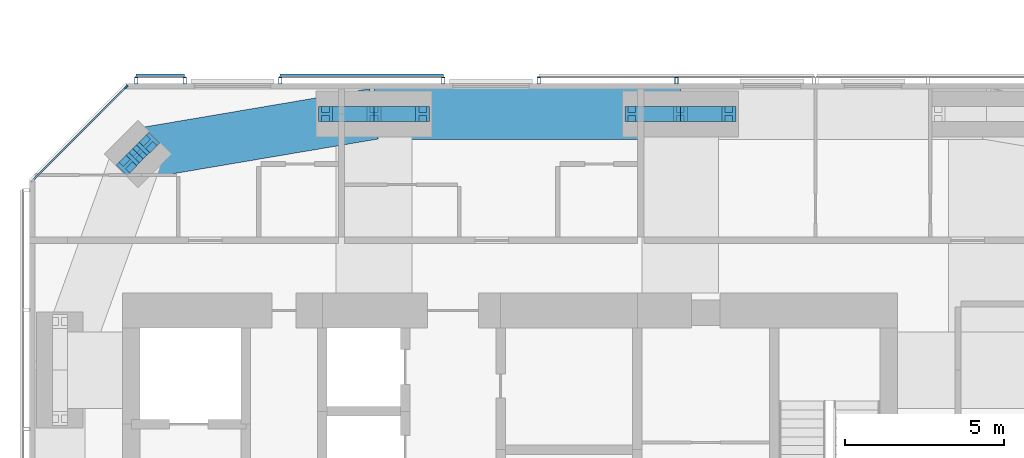
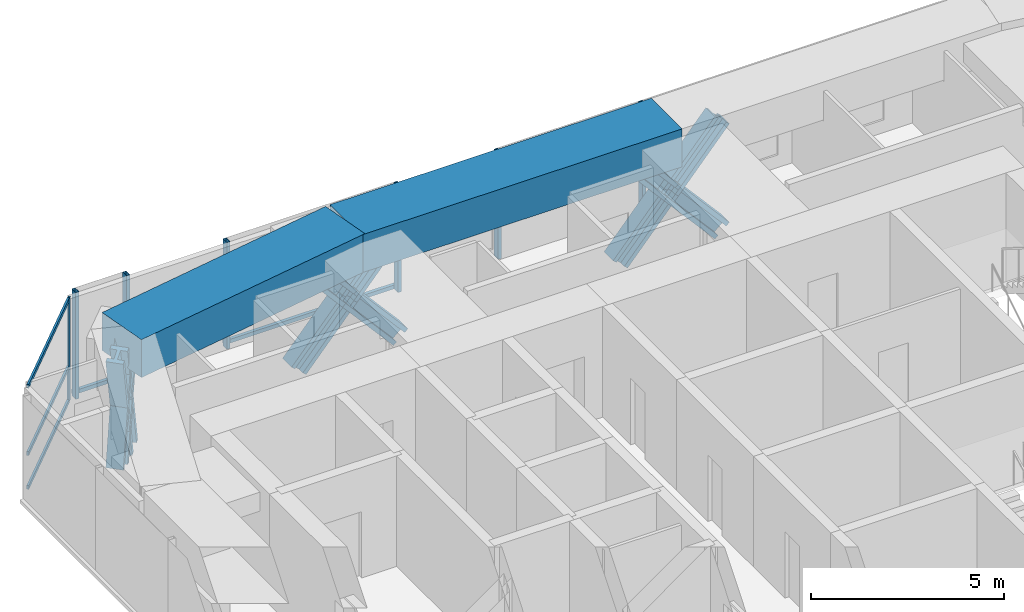
# One storey, part 9 of 18: 24 members, 2 beams, 4 elements without a shape of their own.
"""IFC4 building model written with IfcOpenShell, lengths in metres."""

from ifc_helpers import new_model, si_unit, direction, frame, origin, origin_2d, place, context, subcontext, project, spatial, rectangle, hollow_rectangle, i_section, extrude, material, material_profile, profile_set, type_object, element, aggregate, save


model = new_model("IFC4")

# Units and contexts
model_context = context("Model", 3, precision=1e-05, world=origin(), true_north=direction((0.0, 1.0)))
body_context = subcontext(model_context, "Body", "Model", "MODEL_VIEW")
ifc_project = project(units=[si_unit("LENGTHUNIT", "METRE"), si_unit("AREAUNIT", "SQUARE_METRE"), si_unit("VOLUMEUNIT", "CUBIC_METRE"), si_unit("PLANEANGLEUNIT", "RADIAN"), si_unit("MASSUNIT", "GRAM", prefix="KILO")], contexts=[model_context])

# Site, building, storey
site_placement = place(None, origin())
site = spatial("IfcSite", under=ifc_project, at=site_placement, CompositionType="ELEMENT")
building_placement = place(site_placement, origin())
building = spatial("IfcBuilding", under=site, at=building_placement, Name="Jalousie Tower", CompositionType="ELEMENT")
storey_placement = place(building_placement, frame((0.0, 0.0, 231.949951171875)))
storey = spatial("IfcBuildingStorey", under=building, at=storey_placement, Name="L63", CompositionType="ELEMENT", Elevation=231.949951171875)

# Curtain wall, members
ifc_material_1 = material(Name="Aluminium curtain wall", Category="aluminium")
curtain_wall_type_1 = type_object("IfcCurtainWallType", Name="CORNER WINDOW WALL", PredefinedType="USERDEFINED", material=ifc_material_1)
curtain_wall_1_placement = place(storey_placement, origin())
curtain_wall_1 = element("IfcCurtainWall", 1, at=curtain_wall_1_placement, inside=storey, type_object=curtain_wall_type_1, Name="Corner Window Wall L63 6", ObjectType="CORNER WINDOW WALL", PredefinedType="USERDEFINED")
ifc_material_2 = material(Name="Aluminium mullion", Category="aluminium")
ifc_material_profile_1 = material_profile(ifc_material_2, rectangle(XDim=0.06005859375, YDim=0.14990234375, at=origin_2d()), Name="MULLION 60x150")
ifc_profile_set_1 = profile_set([ifc_material_profile_1], Name="Aluminium mullion")
member_type_1 = type_object("IfcMemberType", Name="CORNER WINDOW WALL MULLION", PredefinedType="MULLION", material=ifc_profile_set_1)
member_1_placement = place(storey_placement, frame((19.830078125, 33.891357421875, 0.0), z_axis=(0.0, 0.0, 1.0), x_axis=(0.707106781187, -0.707106781187, 0.0)))
member_1 = element("IfcMember", 2, at=member_1_placement, type_object=member_type_1, Name="CW-C mullion 1", PredefinedType="MULLION", context=body_context, shape_type="SweptSolid", body=[
    extrude(rectangle(XDim=0.06005859375, YDim=0.14990234375, at=origin_2d()), origin(), (0.0, 0.0, 1.0), 3.260009765625),
])
ifc_material_3 = material(Name="Aluminium transom", Category="aluminium")
ifc_material_profile_2 = material_profile(ifc_material_3, rectangle(XDim=0.06005859375, YDim=0.1201171875, at=origin_2d()), Name="TRANSOM 60x120")
ifc_profile_set_2 = profile_set([ifc_material_profile_2], Name="Aluminium transom")
member_type_2 = type_object("IfcMemberType", Name="CORNER WINDOW WALL TRANSOM", PredefinedType="USERDEFINED", material=ifc_profile_set_2)
member_2_placement = place(storey_placement, frame((19.808837890625, 33.8701171875, 0.030029296875), z_axis=(-0.707106781187, -0.707106781187, 0.0), x_axis=(0.707106781187, -0.707106781187, 0.0)))
member_2 = element("IfcMember", 3, at=member_2_placement, type_object=member_type_2, Name="CW-C transom 1.1", ObjectType="TRANSOM", PredefinedType="USERDEFINED", context=body_context, shape_type="SweptSolid", body=[
    extrude(rectangle(XDim=0.06005859375, YDim=0.1201171875, at=origin_2d()), origin(), (0.0, 0.0, 1.0), 4.0712890625),
])
member_3_placement = place(storey_placement, frame((19.808837890625, 33.8701171875, 1.10009765625), z_axis=(-0.707106781187, -0.707106781187, 0.0), x_axis=(0.707106781187, -0.707106781187, 0.0)))
member_3 = element("IfcMember", 4, at=member_3_placement, type_object=member_type_2, Name="CW-C transom 1.2", ObjectType="TRANSOM", PredefinedType="USERDEFINED", context=body_context, shape_type="SweptSolid", body=[
    extrude(rectangle(XDim=0.06005859375, YDim=0.1201171875, at=origin_2d()), origin(), (0.0, 0.0, 1.0), 4.0712890625),
])
member_4_placement = place(storey_placement, frame((19.808837890625, 33.8701171875, 3.22998046875), z_axis=(-0.707106781187, -0.707106781187, 0.0), x_axis=(0.707106781187, -0.707106781187, 0.0)))
member_4 = element("IfcMember", 5, at=member_4_placement, type_object=member_type_2, Name="CW-C transom 1.3", ObjectType="TRANSOM", PredefinedType="USERDEFINED", context=body_context, shape_type="SweptSolid", body=[
    extrude(rectangle(XDim=0.06005859375, YDim=0.1201171875, at=origin_2d()), origin(), (0.0, 0.0, 1.0), 4.0712890625),
])
aggregate(curtain_wall_1, [member_1, member_2, member_3, member_4])

# Members
ifc_material_4 = material(Name="Steel ASTM A992 Grade 50", Category="steel")
ifc_material_profile_3 = material_profile(ifc_material_4, i_section(OverallWidth=0.472412109375, OverallDepth=0.5791015625, WebThickness=0.094970703125, FlangeThickness=0.1298828125, at=origin_2d()), Name="W14X808")
ifc_profile_set_3 = profile_set([ifc_material_profile_3], Name="Steel ASTM A992 Grade 50")
member_type_3 = type_object("IfcMemberType", Name="PERIMETER BRACE W14X808", PredefinedType="BRACE", material=ifc_profile_set_3)
for number, where, z_axis, x_axis, name in (
    (6, (35.72509765625, 33.050048828125, -0.599853515625), (0.65695436777, 0.0, 0.753930340726), (0.0, 1.0, 0.0), "Perimeter brace 10 L63 part 1"),
    (7, (37.25, 33.050048828125, 1.150146484375), (0.65695436777, 0.0, 0.753930340726), (0.0, 1.0, 0.0), "Perimeter brace 10 L63 part 2"),
    (8, (38.77490234375, 33.050048828125, -0.599853515625), (-0.65695436777, 0.0, 0.753930340726), (0.0, -1.0, 0.0), "Perimeter brace 10 L63 part 3"),
    (9, (37.25, 33.050048828125, 1.150146484375), (-0.65695436777, 0.0, 0.753930340726), (0.0, -1.0, 0.0), "Perimeter brace 10 L63 part 4"),
    (10, (26.10009765625, 33.050048828125, -0.599853515625), (0.65695436777, 0.0, 0.753930340726), (0.0, 1.0, 0.0), "Perimeter brace 11 L63 part 1"),
    (11, (27.625, 33.050048828125, 1.150146484375), (0.65695436777, 0.0, 0.753930340726), (0.0, 1.0, 0.0), "Perimeter brace 11 L63 part 2"),
    (12, (29.14990234375, 33.050048828125, -0.599853515625), (-0.65695436777, 0.0, 0.753930340726), (0.0, -1.0, 0.0), "Perimeter brace 11 L63 part 3"),
    (13, (27.625, 33.050048828125, 1.150146484375), (-0.65695436777, 0.0, 0.753930340726), (0.0, -1.0, 0.0), "Perimeter brace 11 L63 part 4"),
):
    element("IfcMember", number, at=place(storey_placement, frame(where, z_axis=z_axis, x_axis=x_axis)), inside=storey, type_object=member_type_3, Name=name, PredefinedType="BRACE", context=body_context, shape_type="SweptSolid", body=[
        extrude(i_section(OverallWidth=0.472412109375, OverallDepth=0.5791015625, WebThickness=0.094970703125, FlangeThickness=0.1298828125, at=origin_2d()), origin(), (0.0, 0.0, 1.0), 2.3212890625),
    ])
for number, where, z_axis, x_axis, name in (
    (14, (20.525390625, 32.111083984375, -0.599853515625), (-0.17618653952, -0.176051427143, 0.968485517854), (0.706835495285, -0.707377963048, 0.0), "Perimeter brace 12 L63 part 1"),
    (15, (20.20703125, 31.79296875, 1.150146484375), (-0.176051427143, -0.17618653952, 0.968485517854), (0.707377963048, -0.706835495285, 0.0), "Perimeter brace 12 L63 part 2"),
    (16, (19.888916015625, 31.474609375, -0.599853515625), (0.176051427143, 0.17618653952, 0.968485517854), (-0.707377963048, 0.706835495285, 0.0), "Perimeter brace 12 L63 part 3"),
    (17, (20.20703125, 31.79296875, 1.150146484375), (0.17618653952, 0.176051427143, 0.968485517854), (-0.706835495285, 0.707377963048, 0.0), "Perimeter brace 12 L63 part 4"),
):
    element("IfcMember", number, at=place(storey_placement, frame(where, z_axis=z_axis, x_axis=x_axis)), inside=storey, type_object=member_type_3, Name=name, PredefinedType="BRACE", context=body_context, shape_type="SweptSolid", body=[
        extrude(i_section(OverallWidth=0.472412109375, OverallDepth=0.5791015625, WebThickness=0.094970703125, FlangeThickness=0.1298828125, at=origin_2d()), origin(), (0.0, 0.0, 1.0), 1.806884765625),
    ])

# Beams
ifc_material_5 = material(Name="Concrete f'c 40 MPa", Category="concrete")
ifc_material_profile_4 = material_profile(ifc_material_5, rectangle(XDim=1.60009765625, YDim=1.199951171875, at=origin_2d()), Name="RC 1600x1200")
ifc_profile_set_4 = profile_set([ifc_material_profile_4], Name="Concrete f'c 40 MPa")
beam_type = type_object("IfcBeamType", Name="RC BEAM 1600x1200", PredefinedType="BEAM", material=ifc_profile_set_4)
beam_1_placement = place(storey_placement, frame((37.25, 33.050048828125, 2.900146484375), z_axis=(-1.0, 0.0, 0.0), x_axis=(0.0, -1.0, 0.0)))
element("IfcBeam", 18, at=beam_1_placement, inside=storey, type_object=beam_type, Name="Edge band beam 10-11 under L64", PredefinedType="BEAM", context=body_context, shape_type="SweptSolid", body=[
    extrude(rectangle(XDim=1.60009765625, YDim=1.199951171875, at=origin_2d()), origin(), (0.0, 0.0, 1.0), 9.625),
])
beam_2_placement = place(storey_placement, frame((27.625, 33.050048828125, 2.900146484375), z_axis=(-0.985942997446, -0.167082033105, 0.0), x_axis=(0.167082033105, -0.985942997446, 0.0)))
element("IfcBeam", 19, at=beam_2_placement, inside=storey, type_object=beam_type, Name="Edge band beam 11-12 under L64", PredefinedType="BEAM", context=body_context, shape_type="SweptSolid", body=[
    extrude(rectangle(XDim=1.60009765625, YDim=1.199951171875, at=origin_2d()), origin(), (0.0, 0.0, 1.0), 7.523681640625),
])

# Curtain wall, members
ifc_material_6 = material(Name="Perforated aluminium sheet", Category="aluminium")
curtain_wall_type_2 = type_object("IfcCurtainWallType", Name="SOLAR SCREEN SS-2", PredefinedType="USERDEFINED", material=ifc_material_6)
curtain_wall_2_placement = place(storey_placement, origin())
curtain_wall_2 = element("IfcCurtainWall", 20, at=curtain_wall_2_placement, inside=storey, type_object=curtain_wall_type_2, Name="Solar screen L63", ObjectType="SOLAR SCREEN SS-2", PredefinedType="USERDEFINED")
ifc_material_7 = material(Name="Steel ASTM A500 Grade C", Category="steel")
ifc_material_profile_5 = material_profile(ifc_material_7, hollow_rectangle(XDim=0.1015625, YDim=0.203125, WallThickness=0.0078125, at=origin_2d()), Name="HSS8X4X5/16")
ifc_profile_set_5 = profile_set([ifc_material_profile_5], Name="Steel ASTM A500 Grade C")
member_type_4 = type_object("IfcMemberType", Name="SOLAR SCREEN SS-2 MULLION", PredefinedType="MULLION", material=ifc_profile_set_5)
member_5_placement = place(storey_placement, frame((37.125, 34.0966796875, -0.119873046875), z_axis=(0.0, 0.0, 1.0), x_axis=(-1.0, 0.0, 0.0)))
member_5 = element("IfcMember", 21, at=member_5_placement, type_object=member_type_4, Name="SS2 post 2", PredefinedType="MULLION", context=body_context, shape_type="SweptSolid", body=[
    extrude(hollow_rectangle(XDim=0.1015625, YDim=0.203125, WallThickness=0.0078125, at=origin_2d()), origin(), (0.0, 0.0, 1.0), 3.3798828125),
])
member_6_placement = place(storey_placement, frame((32.800048828125, 34.0966796875, -0.119873046875), z_axis=(0.0, 0.0, 1.0), x_axis=(-1.0, 0.0, 0.0)))
member_6 = element("IfcMember", 22, at=member_6_placement, type_object=member_type_4, Name="SS2 post 3", PredefinedType="MULLION", context=body_context, shape_type="SweptSolid", body=[
    extrude(hollow_rectangle(XDim=0.1015625, YDim=0.203125, WallThickness=0.0078125, at=origin_2d()), origin(), (0.0, 0.0, 1.0), 3.3798828125),
])
aggregate(curtain_wall_2, [member_5, member_6])

curtain_wall_3_placement = place(storey_placement, origin())
curtain_wall_3 = element("IfcCurtainWall", 23, at=curtain_wall_3_placement, inside=storey, type_object=curtain_wall_type_2, Name="Solar screen L63", ObjectType="SOLAR SCREEN SS-2", PredefinedType="USERDEFINED")
member_7_placement = place(storey_placement, frame((29.800048828125, 34.0966796875, -0.119873046875), z_axis=(0.0, 0.0, 1.0), x_axis=(-1.0, 0.0, 0.0)))
member_7 = element("IfcMember", 24, at=member_7_placement, type_object=member_type_4, Name="SS2 post 1", PredefinedType="MULLION", context=body_context, shape_type="SweptSolid", body=[
    extrude(hollow_rectangle(XDim=0.1015625, YDim=0.203125, WallThickness=0.0078125, at=origin_2d()), origin(), (0.0, 0.0, 1.0), 3.3798828125),
])
member_8_placement = place(storey_placement, frame((24.675537109375, 34.0966796875, -0.119873046875), z_axis=(0.0, 0.0, 1.0), x_axis=(-1.0, 0.0, 0.0)))
member_8 = element("IfcMember", 25, at=member_8_placement, type_object=member_type_4, Name="SS2 post 2", PredefinedType="MULLION", context=body_context, shape_type="SweptSolid", body=[
    extrude(hollow_rectangle(XDim=0.1015625, YDim=0.203125, WallThickness=0.0078125, at=origin_2d()), origin(), (0.0, 0.0, 1.0), 3.3798828125),
])

curtain_wall_4_placement = place(storey_placement, origin())
curtain_wall_4 = element("IfcCurtainWall", 26, at=curtain_wall_4_placement, inside=storey, type_object=curtain_wall_type_2, Name="Solar screen L63", ObjectType="SOLAR SCREEN SS-2", PredefinedType="USERDEFINED")
member_9_placement = place(storey_placement, frame((21.675537109375, 34.0966796875, -0.119873046875), z_axis=(0.0, 0.0, 1.0), x_axis=(-1.0, 0.0, 0.0)))
member_9 = element("IfcMember", 27, at=member_9_placement, type_object=member_type_4, Name="SS2 post 1", PredefinedType="MULLION", context=body_context, shape_type="SweptSolid", body=[
    extrude(hollow_rectangle(XDim=0.1015625, YDim=0.203125, WallThickness=0.0078125, at=origin_2d()), origin(), (0.0, 0.0, 1.0), 3.3798828125),
])
member_10_placement = place(storey_placement, frame((20.1513671875, 34.0966796875, -0.119873046875), z_axis=(0.0, 0.0, 1.0), x_axis=(-1.0, 0.0, 0.0)))
member_10 = element("IfcMember", 28, at=member_10_placement, type_object=member_type_4, Name="SS2 post 2", PredefinedType="MULLION", context=body_context, shape_type="SweptSolid", body=[
    extrude(hollow_rectangle(XDim=0.1015625, YDim=0.203125, WallThickness=0.0078125, at=origin_2d()), origin(), (0.0, 0.0, 1.0), 3.3798828125),
])

# Member
ifc_material_8 = material(Name="Extruded aluminium screen rail", Category="aluminium")
ifc_material_profile_6 = material_profile(ifc_material_8, rectangle(XDim=0.1015625, YDim=0.1201171875, at=origin_2d()), Name="RAIL 102x120")
ifc_profile_set_6 = profile_set([ifc_material_profile_6], Name="Extruded aluminium screen rail")
member_type_5 = type_object("IfcMemberType", Name="SOLAR SCREEN SS-2 TRANSOM", PredefinedType="USERDEFINED", material=ifc_profile_set_6)
member_11_placement = place(storey_placement, frame((29.800048828125, 34.2490234375, -0.06005859375), z_axis=(-1.0, 0.0, 0.0), x_axis=(0.0, -1.0, 0.0)))
member_11 = element("IfcMember", 29, at=member_11_placement, type_object=member_type_5, Name="SS2 rail", ObjectType="TRANSOM", PredefinedType="USERDEFINED", context=body_context, shape_type="SweptSolid", body=[
    extrude(rectangle(XDim=0.1015625, YDim=0.1201171875, at=origin_2d()), origin(), (0.0, 0.0, 1.0), 5.12451171875),
])

aggregate(curtain_wall_3, [member_7, member_8, member_11])

member_12_placement = place(storey_placement, frame((21.675537109375, 34.2490234375, -0.06005859375), z_axis=(-1.0, 0.0, 0.0), x_axis=(0.0, -1.0, 0.0)))
member_12 = element("IfcMember", 30, at=member_12_placement, type_object=member_type_5, Name="SS2 rail", ObjectType="TRANSOM", PredefinedType="USERDEFINED", context=body_context, shape_type="SweptSolid", body=[
    extrude(rectangle(XDim=0.1015625, YDim=0.1201171875, at=origin_2d()), origin(), (0.0, 0.0, 1.0), 1.524169921875),
])

aggregate(curtain_wall_4, [member_9, member_10, member_12])

save(model, "model.ifc")
